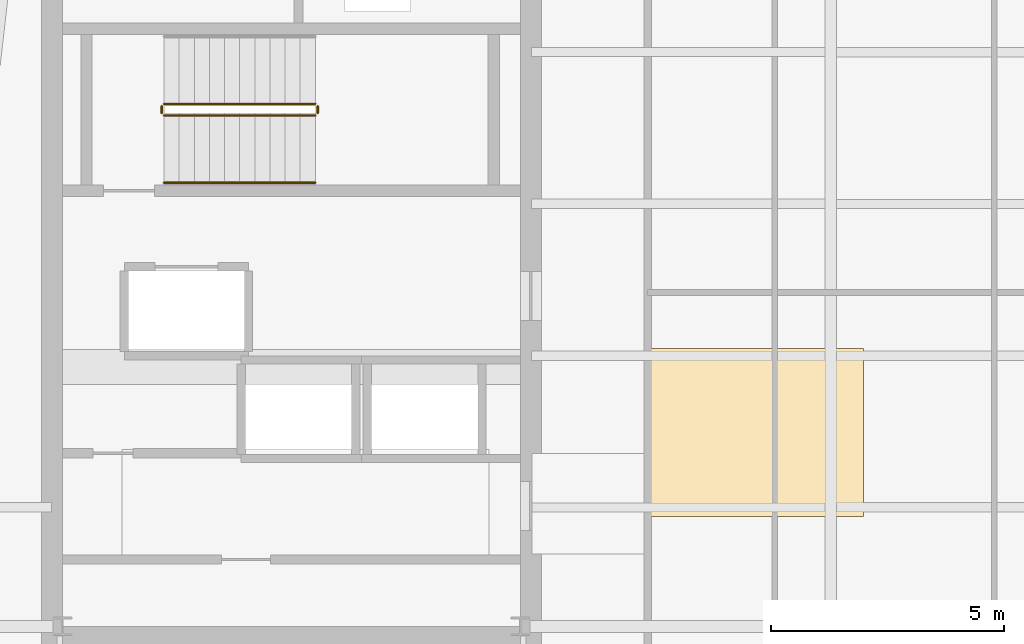
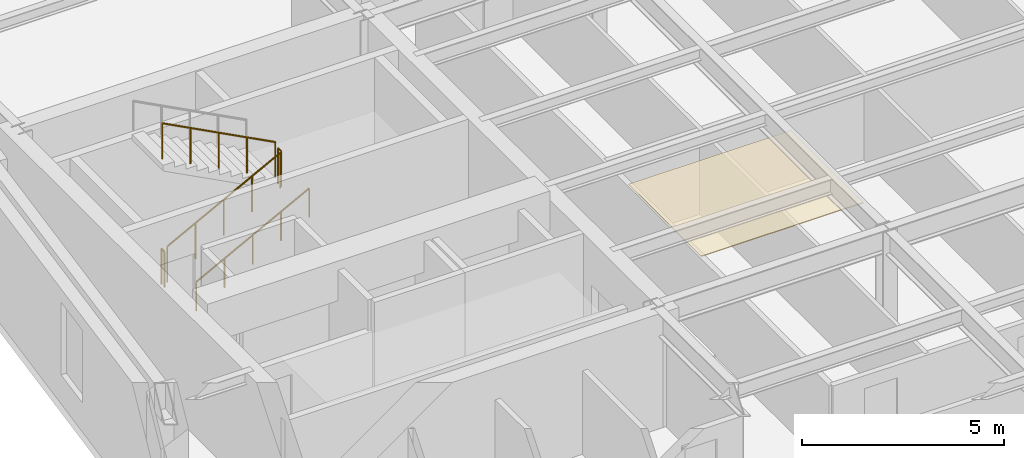
# One storey, part 11 of 13: 5 railings, 1 covering.
"""IFC4 building model written with IfcOpenShell, lengths in metres."""

from ifc_helpers import new_model, si_unit, direction, frame, origin, origin_2d, place, context, subcontext, project, spatial, polyline, circle, outline, extrude, material, layer, layer_set, type_object, element, save


model = new_model("IFC4")

# Units and contexts
model_context = context("Model", 3, precision=1e-05, world=origin(), true_north=direction((0.0, 1.0)))
body_context = subcontext(model_context, "Body", "Model", "MODEL_VIEW")
ifc_project = project(units=[si_unit("LENGTHUNIT", "METRE"), si_unit("AREAUNIT", "SQUARE_METRE"), si_unit("VOLUMEUNIT", "CUBIC_METRE"), si_unit("PLANEANGLEUNIT", "RADIAN"), si_unit("MASSUNIT", "GRAM", prefix="KILO")], contexts=[model_context])

# Site, building, storey
site_placement = place(None, origin())
site = spatial("IfcSite", under=ifc_project, at=site_placement, CompositionType="ELEMENT")
building_placement = place(site_placement, origin())
building = spatial("IfcBuilding", under=site, at=building_placement, Name="Kolvaren Arena Tower", CompositionType="ELEMENT")
storey_placement = place(building_placement, frame((0.0, 0.0, 232.199951171875)))
storey = spatial("IfcBuildingStorey", under=building, at=storey_placement, Name="L56", CompositionType="ELEMENT", Elevation=232.199951171875)

# Covering
ifc_material_1 = material(Name="Mineral fibre acoustic ceiling tile", Category="gypsum")
ifc_layer = layer(ifc_material_1, 0.02490234375)
ifc_layer_set = layer_set([ifc_layer], Name="Mineral fibre acoustic ceiling tile")
covering_type = type_object("IfcCoveringType", Name="CEIL-ACT-1", PredefinedType="CEILING", material=ifc_layer_set)
covering_placement = place(storey_placement, frame((0.0, 0.0, 2.52001953125)))
element("IfcCovering", 1, at=covering_placement, inside=storey, type_object=covering_type, Name="Suspended Ceiling (L56)", PredefinedType="CEILING", context=body_context, shape_type="SweptSolid", body=[
    extrude(outline(polyline([(27.050048828125, 21.800048828125), (27.050048828125, 25.39990234375), (31.699951171875, 25.39990234375), (31.699951171875, 21.800048828125), (27.050048828125, 21.800048828125)])), origin(), (0.0, 0.0, 1.0), 0.025146484375),
])

# Railings
ifc_material_2 = material(Name="Painted galvanized steel", Category="steel")
railing_type_1 = type_object("IfcRailingType", Name="GUARD-ST-110", PredefinedType="GUARDRAIL", material=ifc_material_2)
railing_1_placement = place(storey_placement, frame((16.719970703125, 30.389892578125, 0.17041015625)))
element("IfcRailing", 2, at=railing_1_placement, inside=storey, type_object=railing_type_1, Name="L56 ST-W1 stair guard 1", PredefinedType="GUARDRAIL", context=body_context, shape_type="SweptSolid", body=[
    extrude(circle(Radius=0.02392578125, at=origin_2d()), frame((0.0, 0.0, 1.076171875), z_axis=(0.884993431791, 0.0, 0.465603506952), x_axis=(0.0, 1.0, 0.0)), (0.0, 0.0, 1.0), 3.6611328125),
    extrude(circle(Radius=0.02099609375, at=origin_2d()), origin(), (0.0, 0.0, 1.0), 1.052001953125),
    extrude(circle(Radius=0.02099609375, at=origin_2d()), frame((0.81005859375, 0.0, 0.42626953125)), (0.0, 0.0, 1.0), 1.052001953125),
    extrude(circle(Radius=0.02099609375, at=origin_2d()), frame((1.6201171875, 0.0, 0.852294921875)), (0.0, 0.0, 1.0), 1.052001953125),
    extrude(circle(Radius=0.02099609375, at=origin_2d()), frame((2.429931640625, 0.0, 1.2783203125)), (0.0, 0.0, 1.0), 1.052001953125),
    extrude(circle(Radius=0.02099609375, at=origin_2d()), frame((3.239990234375, 0.0, 1.70458984375)), (0.0, 0.0, 1.0), 1.052001953125),
])
railing_2_placement = place(storey_placement, frame((20.010009765625, 30.43994140625, 1.875)))
element("IfcRailing", 3, at=railing_2_placement, inside=storey, type_object=railing_type_1, Name="L56 ST-W1 stair guard 2", PredefinedType="GUARDRAIL", context=body_context, shape_type="SweptSolid", body=[
    extrude(circle(Radius=0.02392578125, at=origin_2d()), frame((0.0, 0.0, 1.076171875), z_axis=(0.0, 1.0, 0.0), x_axis=(-1.0, 0.0, 0.0)), (0.0, 0.0, 1.0), 0.150146484375),
    extrude(circle(Radius=0.02099609375, at=origin_2d()), origin(), (0.0, 0.0, 1.0), 1.052001953125),
    extrude(circle(Radius=0.02099609375, at=origin_2d()), frame((0.0, 0.150146484375, 0.0)), (0.0, 0.0, 1.0), 1.052001953125),
])
railing_3_placement = place(storey_placement, frame((19.9599609375, 30.639892578125, 2.04541015625)))
element("IfcRailing", 4, at=railing_3_placement, inside=storey, type_object=railing_type_1, Name="L56 ST-W1 stair guard 3", PredefinedType="GUARDRAIL", context=body_context, shape_type="SweptSolid", body=[
    extrude(circle(Radius=0.02392578125, at=origin_2d()), frame((0.0, 0.0, 1.076171875), z_axis=(-0.884993431791, 0.0, 0.465603506952), x_axis=(0.0, -1.0, 0.0)), (0.0, 0.0, 1.0), 3.6611328125),
    extrude(circle(Radius=0.02099609375, at=origin_2d()), origin(), (0.0, 0.0, 1.0), 1.052001953125),
    extrude(circle(Radius=0.02099609375, at=origin_2d()), frame((-0.81005859375, 0.0, 0.42626953125)), (0.0, 0.0, 1.0), 1.052001953125),
    extrude(circle(Radius=0.02099609375, at=origin_2d()), frame((-1.6201171875, 0.0, 0.852294921875)), (0.0, 0.0, 1.0), 1.052001953125),
    extrude(circle(Radius=0.02099609375, at=origin_2d()), frame((-2.429931640625, 0.0, 1.2783203125)), (0.0, 0.0, 1.0), 1.052001953125),
    extrude(circle(Radius=0.02099609375, at=origin_2d()), frame((-3.239990234375, 0.0, 1.70458984375)), (0.0, 0.0, 1.0), 1.052001953125),
])
railing_4_placement = place(storey_placement, frame((16.669921875, 30.43994140625, 0.0)))
element("IfcRailing", 5, at=railing_4_placement, inside=storey, type_object=railing_type_1, Name="L56 ST-W1 stair guard 4", PredefinedType="GUARDRAIL", context=body_context, shape_type="SweptSolid", body=[
    extrude(circle(Radius=0.02392578125, at=origin_2d()), frame((0.0, 0.0, 1.076171875), z_axis=(0.0, 1.0, 0.0), x_axis=(-1.0, 0.0, 0.0)), (0.0, 0.0, 1.0), 0.150146484375),
    extrude(circle(Radius=0.02099609375, at=origin_2d()), origin(), (0.0, 0.0, 1.0), 1.052001953125),
    extrude(circle(Radius=0.02099609375, at=origin_2d()), frame((0.0, 0.150146484375, 0.0)), (0.0, 0.0, 1.0), 1.052001953125),
])
ifc_material_3 = material(Name="Brushed stainless steel handrail", Category="steel")
railing_type_2 = type_object("IfcRailingType", Name="HRAIL-900", PredefinedType="HANDRAIL", material=ifc_material_3)
railing_5_placement = place(storey_placement, frame((16.719970703125, 28.949951171875, 0.17041015625)))
element("IfcRailing", 6, at=railing_5_placement, inside=storey, type_object=railing_type_2, Name="L56 ST-W1 stair handrail 1", PredefinedType="HANDRAIL", context=body_context, shape_type="SweptSolid", body=[
    extrude(circle(Radius=0.02392578125, at=origin_2d()), frame((0.0, 0.0, 0.8759765625), z_axis=(0.884993431791, 0.0, 0.465603506952), x_axis=(0.0, 1.0, 0.0)), (0.0, 0.0, 1.0), 3.6611328125),
    extrude(circle(Radius=0.02099609375, at=origin_2d()), origin(), (0.0, 0.0, 1.0), 0.851806640625),
    extrude(circle(Radius=0.02099609375, at=origin_2d()), frame((0.81005859375, 0.0, 0.42626953125)), (0.0, 0.0, 1.0), 0.851806640625),
    extrude(circle(Radius=0.02099609375, at=origin_2d()), frame((1.6201171875, 0.0, 0.852294921875)), (0.0, 0.0, 1.0), 0.851806640625),
    extrude(circle(Radius=0.02099609375, at=origin_2d()), frame((2.429931640625, 0.0, 1.2783203125)), (0.0, 0.0, 1.0), 0.851806640625),
    extrude(circle(Radius=0.02099609375, at=origin_2d()), frame((3.239990234375, 0.0, 1.70458984375)), (0.0, 0.0, 1.0), 0.851806640625),
])

save(model, "model.ifc")
